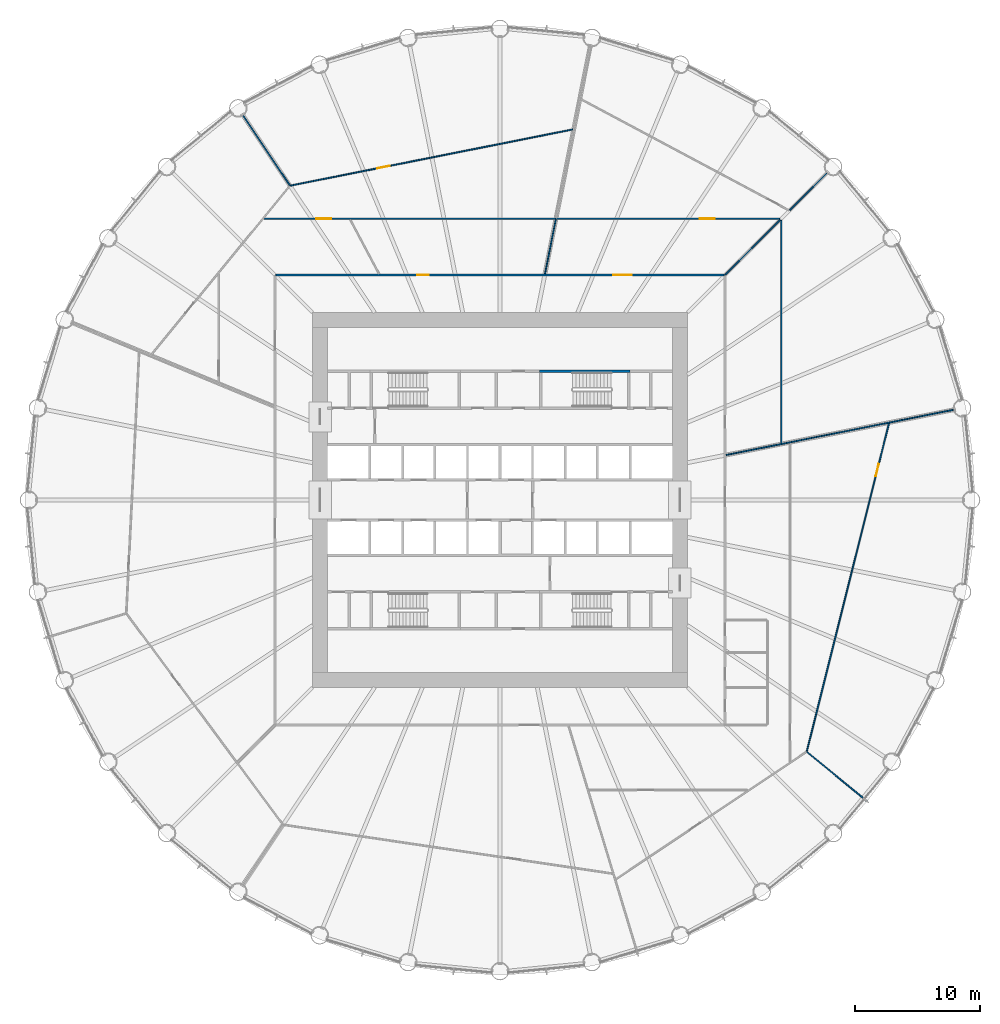
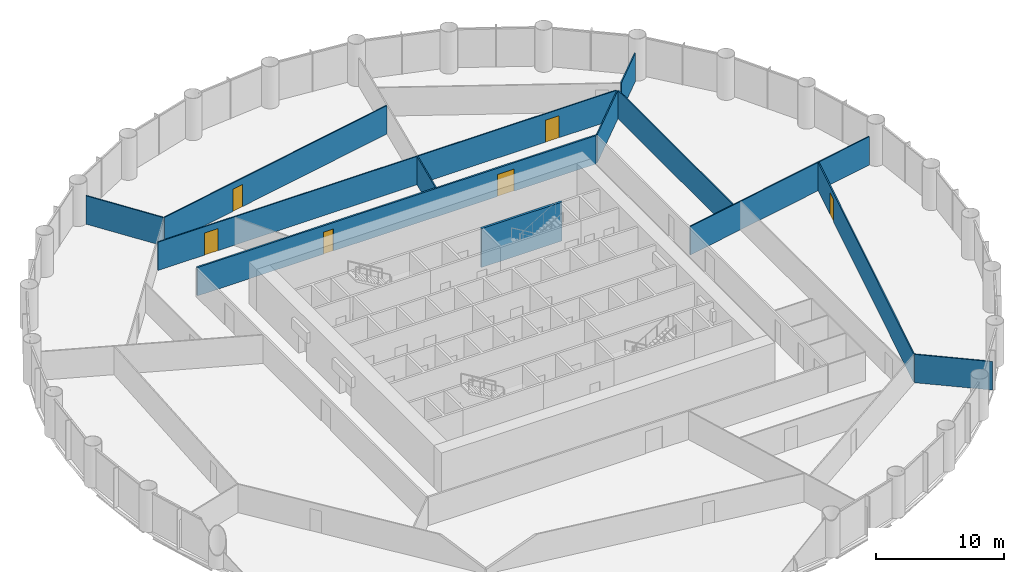
# One storey, part 13 of 15: 12 walls, 6 doors, 6 openings.
"""IFC4 building model written with IfcOpenShell, lengths in metres."""

from ifc_helpers import new_model, si_unit, direction, frame, frame_2d, origin, place, context, subcontext, project, spatial, polyline, rectangle, outline, extrude, material, layer, layer_set, type_object, element, fill, save


model = new_model("IFC4")

# Units and contexts
model_context = context("Model", 3, precision=1e-05, world=origin(), true_north=direction((0.0, 1.0)))
body_context = subcontext(model_context, "Body", "Model", "MODEL_VIEW")
ifc_project = project(units=[si_unit("LENGTHUNIT", "METRE"), si_unit("AREAUNIT", "SQUARE_METRE"), si_unit("VOLUMEUNIT", "CUBIC_METRE"), si_unit("PLANEANGLEUNIT", "RADIAN"), si_unit("MASSUNIT", "GRAM", prefix="KILO")], contexts=[model_context])

# Site, building, storey
site_placement = place(None, origin())
site = spatial("IfcSite", under=ifc_project, at=site_placement, CompositionType="ELEMENT")
building_placement = place(site_placement, origin())
building = spatial("IfcBuilding", under=site, at=building_placement, Name="Corvane Civic Tower", CompositionType="ELEMENT")
storey_placement = place(building_placement, frame((0.0, 0.0, 69.0)))
storey = spatial("IfcBuildingStorey", under=building, at=storey_placement, Name="L15", CompositionType="ELEMENT", Elevation=69.0)

# Wall
ifc_material_1 = material(Name="Plasterboard")
ifc_layer_1 = layer(ifc_material_1, 0.10009765625)
ifc_layer_set_1 = layer_set([ifc_layer_1], Name="Plasterboard")
wall_type_1 = type_object("IfcWallType", Name="Partition 100 plasterboard on studs", PredefinedType="PARTITIONING", material=ifc_layer_set_1)
wall_1_placement = place(storey_placement, frame((24.566162109375, -20.160888671875, 0.0), z_axis=(0.0, 0.0, 1.0), x_axis=(0.773022125088, -0.634379061859, 0.0)))
element("IfcWall", 1, at=wall_1_placement, inside=storey, type_object=wall_type_1, Name="Partition L15.006", PredefinedType="PARTITIONING", context=body_context, shape_type="SweptSolid", body=[
    extrude(rectangle(XDim=6.17041015625, YDim=0.10009765625, at=frame_2d((3.085205078125, 0.0))), origin(), (0.0, 0.0, 1.0), 2.699951171875),
])

# Wall, opening, door
wall_2_placement = place(storey_placement, frame((24.545166015625, -20.106689453125, 0.0), z_axis=(0.0, 0.0, 1.0), x_axis=(0.242983970793, 0.970030303618, 0.0)))
wall_2 = element("IfcWall", 2, at=wall_2_placement, inside=storey, type_object=wall_type_1, Name="Partition L15.010", PredefinedType="PARTITIONING", context=body_context, shape_type="SweptSolid", body=[
    extrude(rectangle(XDim=27.032958984375, YDim=0.10009765625, at=frame_2d((13.5166015625, 0.0))), origin(), (0.0, 0.0, 1.0), 2.699951171875),
])
opening_1_placement = place(wall_2_placement, frame((22.695556640625, 0.0, 0.0)))
opening_1 = element("IfcOpeningElement", 3, at=opening_1_placement, cuts=wall_2, Name="Opening L15.011", PredefinedType="OPENING", context=body_context, shape_type="SweptSolid", body=[
    extrude(rectangle(XDim=1.0, YDim=2.10009765625, at=frame_2d((0.5, 1.050048828125))), frame((0.0, 0.06005859375, 0.0), z_axis=(0.0, -1.0, 0.0), x_axis=(1.0, 0.0, 0.0)), (0.0, 0.0, 1.0), 0.1201171875),
])
ifc_material_2 = material(Name="Timber", Category="wood")
door_type_1 = type_object("IfcDoorType", Name="Single door 1000", OperationType="NOTDEFINED", PredefinedType="DOOR", material=ifc_material_2)
door_1_placement = place(opening_1_placement, frame((1.0, 0.0, 0.0), z_axis=(0.0, 0.0, 1.0), x_axis=(-1.0, 0.0, 0.0)))
door_1 = element("IfcDoor", 4, at=door_1_placement, inside=storey, type_object=door_type_1, Name="Door L15.011", OperationType="SINGLE_SWING_LEFT", OverallHeight=2.10009765625, OverallWidth=1.0, PredefinedType="DOOR", context=body_context, shape_type="SweptSolid", body=[
    extrude(rectangle(XDim=1.0, YDim=2.10009765625, at=frame_2d((0.5, 1.050048828125))), frame((0.0, 0.02490234375, 0.0), z_axis=(0.0, -1.0, 0.0), x_axis=(1.0, 0.0, 0.0)), (0.0, 0.0, 1.0), 0.050048828125),
])
fill(opening_1, door_1)

# Walls
wall_3_placement = place(storey_placement, frame((18.084716796875, 3.597412109375, 0.0), z_axis=(0.0, 0.0, 1.0), x_axis=(0.980787657921, 0.195078369049, 0.0)))
element("IfcWall", 5, at=wall_3_placement, inside=storey, type_object=wall_type_1, Name="Partition L15.021", PredefinedType="PARTITIONING", context=body_context, shape_type="SweptSolid", body=[
    extrude(rectangle(XDim=18.551025390625, YDim=0.10009765625, at=frame_2d((9.275390625, 0.0))), origin(), (0.0, 0.0, 1.0), 2.699951171875),
])
wall_4_placement = place(storey_placement, frame((22.5, 4.53662109375, 0.0), z_axis=(0.0, 0.0, 1.0), x_axis=(0.0, 1.0, 0.0)))
element("IfcWall", 6, at=wall_4_placement, inside=storey, type_object=wall_type_1, Name="Partition L15.022", PredefinedType="PARTITIONING", context=body_context, shape_type="SweptSolid", body=[
    extrude(rectangle(XDim=17.8427734375, YDim=0.10009765625, at=frame_2d((8.92138671875, 0.0))), origin(), (0.0, 0.0, 1.0), 2.699951171875),
])
wall_5_placement = place(storey_placement, frame((18.0146484375, 18.0146484375, 0.0), z_axis=(0.0, 0.0, 1.0), x_axis=(0.707106781187, 0.707106781187, 0.0)))
element("IfcWall", 7, at=wall_5_placement, inside=storey, type_object=wall_type_1, Name="Partition L15.027", PredefinedType="PARTITIONING", context=body_context, shape_type="SweptSolid", body=[
    extrude(rectangle(XDim=6.222412109375, YDim=0.10009765625, at=frame_2d((3.111328125, 0.0))), origin(), (0.0, 0.0, 1.0), 2.699951171875),
])
wall_6_placement = place(storey_placement, frame((3.597412109375, 18.084716796875, 0.0), z_axis=(0.0, 0.0, 1.0), x_axis=(0.195061135357, 0.980791085539, 0.0)))
element("IfcWall", 8, at=wall_6_placement, inside=storey, type_object=wall_type_1, Name="Partition L15.028", PredefinedType="PARTITIONING", context=body_context, shape_type="SweptSolid", body=[
    extrude(rectangle(XDim=4.45068359375, YDim=0.10009765625, at=frame_2d((2.225341796875, 0.0))), origin(), (0.0, 0.0, 1.0), 2.699951171875),
])

# Wall, openings, doors
wall_7_placement = place(storey_placement, frame((-18.865478515625, 22.5, 0.0), z_axis=(0.0, 0.0, 1.0), x_axis=(1.0, 0.0, 0.0)))
wall_7 = element("IfcWall", 9, at=wall_7_placement, inside=storey, type_object=wall_type_1, Name="Partition L15.030", PredefinedType="PARTITIONING", context=body_context, shape_type="SweptSolid", body=[
    extrude(rectangle(XDim=41.244873046875, YDim=0.10009765625, at=frame_2d((20.62255859375, 0.0))), origin(), (0.0, 0.0, 1.0), 2.699951171875),
])
opening_2_placement = place(wall_7_placement, frame((4.181396484375, 0.0, 0.0)))
opening_2 = element("IfcOpeningElement", 10, at=opening_2_placement, cuts=wall_7, Name="Opening L15.004", PredefinedType="OPENING", context=body_context, shape_type="SweptSolid", body=[
    extrude(rectangle(XDim=1.199951171875, YDim=2.10009765625, at=frame_2d((0.60009765625, 1.050048828125))), frame((0.0, 0.06005859375, 0.0), z_axis=(0.0, -1.0, 0.0), x_axis=(1.0, 0.0, 0.0)), (0.0, 0.0, 1.0), 0.1201171875),
])
opening_3_placement = place(wall_7_placement, frame((34.85205078125, 0.0, 0.0)))
opening_3 = element("IfcOpeningElement", 11, at=opening_3_placement, cuts=wall_7, Name="Opening L15.008", PredefinedType="OPENING", context=body_context, shape_type="SweptSolid", body=[
    extrude(rectangle(XDim=1.199951171875, YDim=2.10009765625, at=frame_2d((0.60009765625, 1.050048828125))), frame((0.0, 0.06005859375, 0.0), z_axis=(0.0, -1.0, 0.0), x_axis=(1.0, 0.0, 0.0)), (0.0, 0.0, 1.0), 0.1201171875),
])
ifc_material_3 = material(Name="Timber", Category="wood")
door_type_2 = type_object("IfcDoorType", Name="Double door 1200", OperationType="NOTDEFINED", PredefinedType="DOOR", material=ifc_material_3)
door_2_placement = place(opening_2_placement, origin())
door_2 = element("IfcDoor", 12, at=door_2_placement, inside=storey, type_object=door_type_2, Name="Door L15.004", OperationType="DOUBLE_DOOR_SINGLE_SWING", OverallHeight=2.10009765625, OverallWidth=1.199951171875, PredefinedType="DOOR", context=body_context, shape_type="SweptSolid", body=[
    extrude(rectangle(XDim=1.199951171875, YDim=2.10009765625, at=frame_2d((0.60009765625, 1.050048828125))), frame((0.0, 0.02490234375, 0.0), z_axis=(0.0, -1.0, 0.0), x_axis=(1.0, 0.0, 0.0)), (0.0, 0.0, 1.0), 0.050048828125),
])
fill(opening_2, door_2)
door_3_placement = place(opening_3_placement, origin())
door_3 = element("IfcDoor", 13, at=door_3_placement, inside=storey, type_object=door_type_2, Name="Door L15.008", OperationType="DOUBLE_DOOR_SINGLE_SWING", OverallHeight=2.10009765625, OverallWidth=1.199951171875, PredefinedType="DOOR", context=body_context, shape_type="SweptSolid", body=[
    extrude(rectangle(XDim=1.199951171875, YDim=2.10009765625, at=frame_2d((0.60009765625, 1.050048828125))), frame((0.0, 0.02490234375, 0.0), z_axis=(0.0, -1.0, 0.0), x_axis=(1.0, 0.0, 0.0)), (0.0, 0.0, 1.0), 0.050048828125),
])
fill(opening_3, door_3)

# Wall
wall_8_placement = place(storey_placement, frame((23.1796875, 23.1796875, 0.0), z_axis=(0.0, 0.0, 1.0), x_axis=(0.707106781187, 0.707106781187, 0.0)))
element("IfcWall", 14, at=wall_8_placement, inside=storey, type_object=wall_type_1, Name="Partition L15.033", PredefinedType="PARTITIONING", context=body_context, shape_type="SweptSolid", body=[
    extrude(rectangle(XDim=4.209228515625, YDim=0.10009765625, at=frame_2d((2.1044921875, 0.0))), origin(), (0.0, 0.0, 1.0), 2.699951171875),
])

# Wall, opening, door
wall_9_placement = place(storey_placement, frame((-16.768310546875, 25.15087890625, 0.0), z_axis=(0.0, 0.0, 1.0), x_axis=(0.980785162339, 0.195090915563, 0.0)))
wall_9 = element("IfcWall", 15, at=wall_9_placement, inside=storey, type_object=wall_type_1, Name="Partition L15.034", PredefinedType="PARTITIONING", context=body_context, shape_type="SweptSolid", body=[
    extrude(rectangle(XDim=23.037353515625, YDim=0.10009765625, at=frame_2d((11.5185546875, 0.0))), origin(), (0.0, 0.0, 1.0), 2.699951171875),
])
opening_4_placement = place(wall_9_placement, frame((7.096435546875, 0.0, 0.0)))
opening_4 = element("IfcOpeningElement", 16, at=opening_4_placement, cuts=wall_9, Name="Opening L15.002", PredefinedType="OPENING", context=body_context, shape_type="SweptSolid", body=[
    extrude(rectangle(XDim=1.0, YDim=2.10009765625, at=frame_2d((0.5, 1.050048828125))), frame((0.0, 0.06005859375, 0.0), z_axis=(0.0, -1.0, 0.0), x_axis=(1.0, 0.0, 0.0)), (0.0, 0.0, 1.0), 0.1201171875),
])
door_4_placement = place(opening_4_placement, origin())
door_4 = element("IfcDoor", 17, at=door_4_placement, inside=storey, type_object=door_type_1, Name="Door L15.002", OperationType="SINGLE_SWING_LEFT", OverallHeight=2.10009765625, OverallWidth=1.0, PredefinedType="DOOR", context=body_context, shape_type="SweptSolid", body=[
    extrude(rectangle(XDim=1.0, YDim=2.10009765625, at=frame_2d((0.5, 1.050048828125))), frame((0.0, 0.02490234375, 0.0), z_axis=(0.0, -1.0, 0.0), x_axis=(1.0, 0.0, 0.0)), (0.0, 0.0, 1.0), 0.050048828125),
])
fill(opening_4, door_4)

# Walls
wall_10_placement = place(storey_placement, frame((-20.550537109375, 30.756103515625, 0.0), z_axis=(0.0, 0.0, 1.0), x_axis=(0.555572861244, -0.831467856173, 0.0)))
element("IfcWall", 18, at=wall_10_placement, inside=storey, type_object=wall_type_1, Name="Partition L15.035", PredefinedType="PARTITIONING", context=body_context, shape_type="SweptSolid", body=[
    extrude(rectangle(XDim=6.7119140625, YDim=0.10009765625, at=frame_2d((3.35595703125, 0.0))), origin(), (0.0, 0.0, 1.0), 2.699951171875),
])
ifc_material_4 = material(Name="Concrete C50/60", Category="concrete")
ifc_layer_2 = layer(ifc_material_4, 0.199951171875)
ifc_layer_set_2 = layer_set([ifc_layer_2], Name="Concrete C50/60")
wall_type_2 = type_object("IfcWallType", Name="ST-WALL-200", PredefinedType="SHEAR", material=ifc_layer_set_2)
wall_11_placement = place(storey_placement, origin())
element("IfcWall", 19, at=wall_11_placement, inside=storey, type_object=wall_type_2, Name="L15 stair enclosure wall", PredefinedType="SHEAR", context=body_context, shape_type="SweptSolid", body=[
    extrude(outline(polyline([(10.39990234375, 10.199951171875), (3.14990234375, 10.199951171875), (3.14990234375, 10.39990234375), (10.39990234375, 10.39990234375), (10.39990234375, 10.199951171875)])), origin(), (0.0, 0.0, 1.0), 3.699951171875),
])

# Wall, openings, doors
ifc_material_5 = material(Name="Plasterboard")
ifc_layer_3 = layer(ifc_material_5, 0.14990234375)
ifc_layer_set_3 = layer_set([ifc_layer_3], Name="Plasterboard")
wall_type_3 = type_object("IfcWallType", Name="Tenancy wall 150 EI 60", PredefinedType="PARTITIONING", material=ifc_layer_set_3)
wall_12_placement = place(storey_placement, frame((-17.925048828125, 18.0, 0.0), z_axis=(0.0, 0.0, 1.0), x_axis=(1.0, 0.0, 0.0)))
wall_12 = element("IfcWall", 20, at=wall_12_placement, inside=storey, type_object=wall_type_3, Name="Partition L15.026", PredefinedType="PARTITIONING", context=body_context, shape_type="SweptSolid", body=[
    extrude(rectangle(XDim=35.85009765625, YDim=0.14990234375, at=frame_2d((17.925048828125, 0.0))), origin(), (0.0, 0.0, 1.0), 2.699951171875),
])
opening_5_placement = place(wall_12_placement, frame((11.323974609375, 0.0, 0.0)))
opening_5 = element("IfcOpeningElement", 21, at=opening_5_placement, cuts=wall_12, Name="Opening L15.006", PredefinedType="OPENING", context=body_context, shape_type="SweptSolid", body=[
    extrude(rectangle(XDim=0.89990234375, YDim=2.10009765625, at=frame_2d((0.449951171875, 1.050048828125))), frame((0.0, 0.0849609375, 0.0), z_axis=(0.0, -1.0, 0.0), x_axis=(1.0, 0.0, 0.0)), (0.0, 0.0, 1.0), 0.169921875),
])
opening_6_placement = place(wall_12_placement, frame((26.973876953125, 0.0, 0.0)))
opening_6 = element("IfcOpeningElement", 22, at=opening_6_placement, cuts=wall_12, Name="Opening L15.009", PredefinedType="OPENING", context=body_context, shape_type="SweptSolid", body=[
    extrude(rectangle(XDim=1.5, YDim=2.10009765625, at=frame_2d((0.75, 1.050048828125))), frame((0.0, 0.0849609375, 0.0), z_axis=(0.0, -1.0, 0.0), x_axis=(1.0, 0.0, 0.0)), (0.0, 0.0, 1.0), 0.169921875),
])
ifc_material_6 = material(Name="Steel and timber", Category="steel")
door_type_3 = type_object("IfcDoorType", Name="Fire door FD30S 900", OperationType="NOTDEFINED", PredefinedType="DOOR", material=ifc_material_6)
door_5_placement = place(opening_5_placement, origin())
door_5 = element("IfcDoor", 23, at=door_5_placement, inside=storey, type_object=door_type_3, Name="Door L15.006", OperationType="SINGLE_SWING_LEFT", OverallHeight=2.10009765625, OverallWidth=0.89990234375, PredefinedType="DOOR", context=body_context, shape_type="SweptSolid", body=[
    extrude(rectangle(XDim=0.89990234375, YDim=2.10009765625, at=frame_2d((0.449951171875, 1.050048828125))), frame((0.0, 0.02490234375, 0.0), z_axis=(0.0, -1.0, 0.0), x_axis=(1.0, 0.0, 0.0)), (0.0, 0.0, 1.0), 0.050048828125),
])
fill(opening_5, door_5)
ifc_material_7 = material(Name="Steel and timber", Category="steel")
door_type_4 = type_object("IfcDoorType", Name="Fire door FD60 double 1500", OperationType="NOTDEFINED", PredefinedType="DOOR", material=ifc_material_7)
door_6_placement = place(opening_6_placement, origin())
door_6 = element("IfcDoor", 24, at=door_6_placement, inside=storey, type_object=door_type_4, Name="Door L15.009", OperationType="DOUBLE_DOOR_SINGLE_SWING", OverallHeight=2.10009765625, OverallWidth=1.5, PredefinedType="DOOR", context=body_context, shape_type="SweptSolid", body=[
    extrude(rectangle(XDim=1.5, YDim=2.10009765625, at=frame_2d((0.75, 1.050048828125))), frame((0.0, 0.02490234375, 0.0), z_axis=(0.0, -1.0, 0.0), x_axis=(1.0, 0.0, 0.0)), (0.0, 0.0, 1.0), 0.050048828125),
])
fill(opening_6, door_6)

save(model, "model.ifc")
